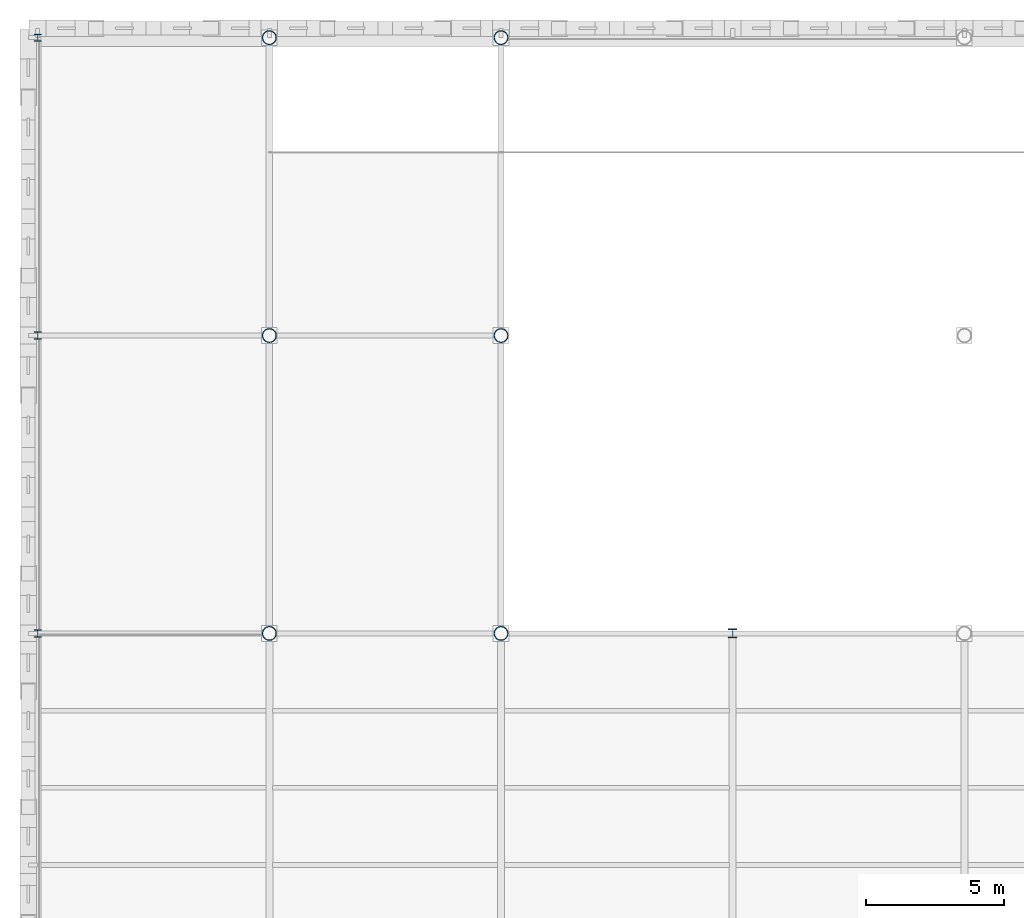
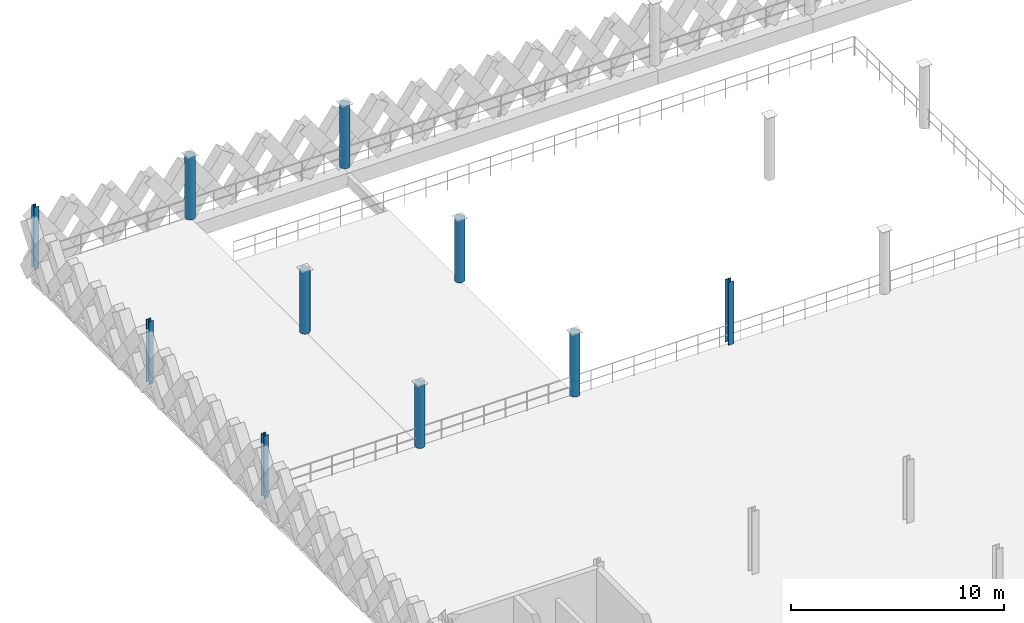
# One storey, part 9 of 47: 10 columns.
"""IFC4 building model written with IfcOpenShell, lengths in metres."""

from ifc_helpers import new_model, si_unit, direction, frame, origin, origin_2d, place, context, subcontext, project, spatial, hollow_circle, i_section, extrude, material, material_profile, profile_set, type_object, element, save


model = new_model("IFC4")

# Units and contexts
model_context = context("Model", 3, precision=1e-05, world=origin(), true_north=direction((0.0, 1.0)))
body_context = subcontext(model_context, "Body", "Model", "MODEL_VIEW")
ifc_project = project(units=[si_unit("LENGTHUNIT", "METRE"), si_unit("AREAUNIT", "SQUARE_METRE"), si_unit("VOLUMEUNIT", "CUBIC_METRE"), si_unit("PLANEANGLEUNIT", "RADIAN"), si_unit("MASSUNIT", "GRAM", prefix="KILO"), si_unit("THERMODYNAMICTEMPERATUREUNIT", "KELVIN"), si_unit("POWERUNIT", "WATT")], contexts=[model_context])

# Site, building, storey
site_placement = place(None, origin())
site = spatial("IfcSite", under=ifc_project, at=site_placement, CompositionType="ELEMENT")
building_placement = place(site_placement, origin())
building = spatial("IfcBuilding", under=site, at=building_placement, Name="Tembeka Court Mobility Hub", CompositionType="ELEMENT")
storey_placement = place(building_placement, frame((0.0, 0.0, 19.800048828125)))
storey = spatial("IfcBuildingStorey", under=building, at=storey_placement, Name="L05", CompositionType="ELEMENT", Elevation=19.800048828125)

# Columns
ifc_material = material(Name="Steel S355", Category="steel")
ifc_material_profile_1 = material_profile(ifc_material, i_section(OverallWidth=0.30908203125, OverallDepth=0.321044921875, WebThickness=0.013916015625, FlangeThickness=0.021728515625, FilletRadius=0.01513671875, at=origin_2d()), Name="UKC 305x305x137")
ifc_profile_set_1 = profile_set([ifc_material_profile_1], Name="Steel S355")
column_type_1 = type_object("IfcColumnType", Name="COL-C04", PredefinedType="COLUMN", material=ifc_profile_set_1)
column_placement = place(storey_placement, frame((25.199951171875, 97.199951171875, 0.0), z_axis=(0.0, 0.0, 1.0), x_axis=(1.0, 0.0, 0.0)))
element("IfcColumn", 1, at=column_placement, inside=storey, type_object=column_type_1, Name="Column C04 (L05-045)", PredefinedType="COLUMN", context=body_context, shape_type="SweptSolid", body=[
    extrude(i_section(OverallWidth=0.30908203125, OverallDepth=0.321044921875, WebThickness=0.013916015625, FlangeThickness=0.021728515625, FilletRadius=0.01513671875, at=origin_2d()), origin(), (0.0, 0.0, 1.0), 3.599853515625),
])
ifc_material_profile_2 = material_profile(ifc_material, i_section(OverallWidth=0.256103515625, OverallDepth=0.260009765625, WebThickness=0.01025390625, FlangeThickness=0.017333984375, FilletRadius=0.0126953125, at=origin_2d()), Name="UKC 254x254x89")
ifc_profile_set_2 = profile_set([ifc_material_profile_2], Name="Steel S355")
column_type_2 = type_object("IfcColumnType", Name="COL-C05", PredefinedType="COLUMN", material=ifc_profile_set_2)
for number, where, z_axis, x_axis, name in (
    (2, (0.0, 97.199951171875, 0.0), (0.0, 0.0, 1.0), (1.0, 0.0, 0.0), "Column C05 (L05-010)"),
    (3, (0.0, 108.0, 0.0), (0.0, 0.0, 1.0), (1.0, 0.0, 0.0), "Column C05 (L05-011)"),
    (4, (0.0, 118.800048828125, 0.0), (0.0, 0.0, 1.0), (1.0, 0.0, 0.0), "Column C05 (L05-012)"),
):
    element("IfcColumn", number, at=place(storey_placement, frame(where, z_axis=z_axis, x_axis=x_axis)), inside=storey, type_object=column_type_2, Name=name, PredefinedType="COLUMN", context=body_context, shape_type="SweptSolid", body=[
        extrude(i_section(OverallWidth=0.256103515625, OverallDepth=0.260009765625, WebThickness=0.01025390625, FlangeThickness=0.017333984375, FilletRadius=0.0126953125, at=origin_2d()), origin(), (0.0, 0.0, 1.0), 3.599853515625),
    ])
ifc_material_profile_3 = material_profile(ifc_material, hollow_circle(Radius=0.25390625, WallThickness=0.01611328125, at=origin_2d()), Name="CHS 508x16")
ifc_profile_set_3 = profile_set([ifc_material_profile_3], Name="Steel S355")
column_type_3 = type_object("IfcColumnType", Name="COL-C08", PredefinedType="COLUMN", material=ifc_profile_set_3)
for number, where, z_axis, x_axis, name in (
    (5, (8.39990234375, 97.199951171875, 0.0), (0.0, 0.0, 1.0), (1.0, 0.0, 0.0), "Column C08 (L05-022)"),
    (6, (8.39990234375, 108.0, 0.0), (0.0, 0.0, 1.0), (1.0, 0.0, 0.0), "Column C08 (L05-023)"),
    (7, (8.39990234375, 118.800048828125, 0.0), (0.0, 0.0, 1.0), (1.0, 0.0, 0.0), "Column C08 (L05-024)"),
    (8, (16.800048828125, 97.199951171875, 0.0), (0.0, 0.0, 1.0), (1.0, 0.0, 0.0), "Column C08 (L05-034)"),
    (9, (16.800048828125, 108.0, 0.0), (0.0, 0.0, 1.0), (1.0, 0.0, 0.0), "Column C08 (L05-035)"),
    (10, (16.800048828125, 118.800048828125, 0.0), (0.0, 0.0, 1.0), (1.0, 0.0, 0.0), "Column C08 (L05-036)"),
):
    element("IfcColumn", number, at=place(storey_placement, frame(where, z_axis=z_axis, x_axis=x_axis)), inside=storey, type_object=column_type_3, Name=name, PredefinedType="COLUMN", context=body_context, shape_type="SweptSolid", body=[
        extrude(hollow_circle(Radius=0.25390625, WallThickness=0.01611328125, at=origin_2d()), origin(), (0.0, 0.0, 1.0), 3.599853515625),
    ])

save(model, "model.ifc")
